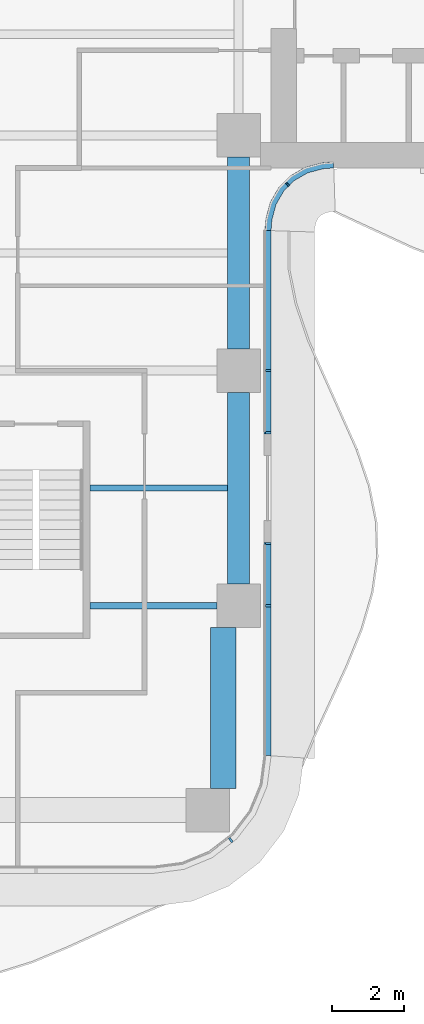
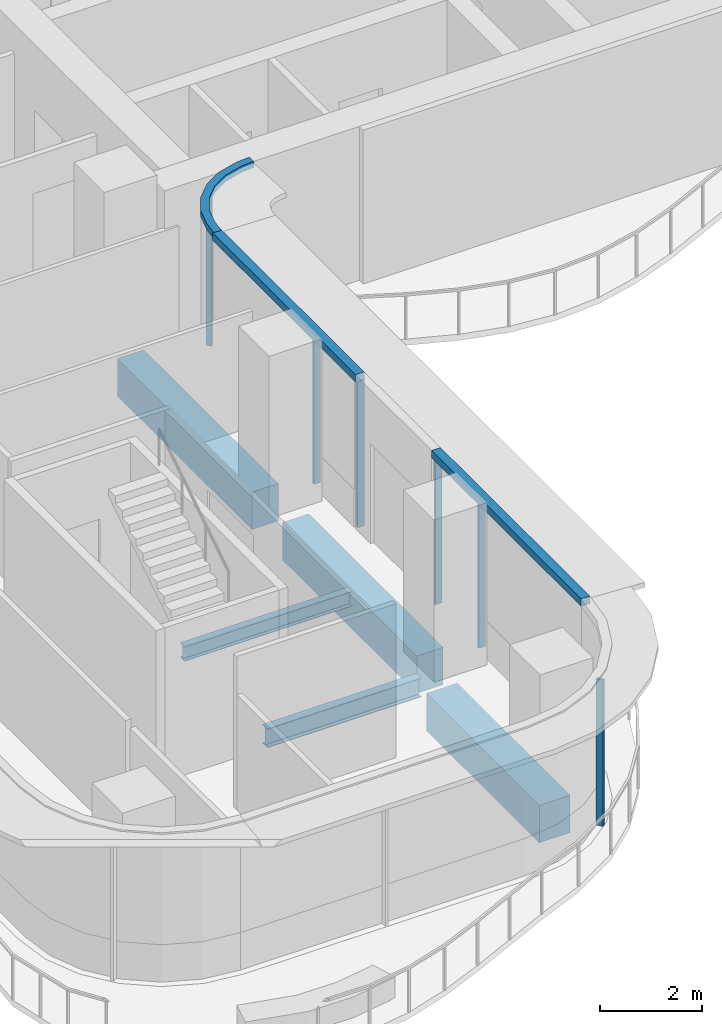
# One storey, part 5 of 18: 9 members, 5 beams, 4 elements without a shape of their own.
"""IFC4 building model written with IfcOpenShell, lengths in metres."""

from ifc_helpers import new_model, si_unit, direction, frame, origin, origin_2d, place, context, subcontext, project, spatial, polyline, rectangle, i_section, outline, extrude, source, transform, mapped, material, layer, layer_set, material_profile, profile_set, type_object, element, aggregate, save


model = new_model("IFC4")

# Units and contexts
model_context = context("Model", 3, precision=1e-05, world=origin(), true_north=direction((0.0, 1.0)))
body_context = subcontext(model_context, "Body", "Model", "MODEL_VIEW")
ifc_project = project(units=[si_unit("LENGTHUNIT", "METRE"), si_unit("AREAUNIT", "SQUARE_METRE"), si_unit("VOLUMEUNIT", "CUBIC_METRE"), si_unit("PLANEANGLEUNIT", "RADIAN"), si_unit("MASSUNIT", "GRAM", prefix="KILO")], contexts=[model_context])

# Site, building, storey
site_placement = place(None, origin())
site = spatial("IfcSite", under=ifc_project, at=site_placement, CompositionType="ELEMENT")
building_placement = place(site_placement, origin())
building = spatial("IfcBuilding", under=site, at=building_placement, Name="Trellis Farm Tower", CompositionType="ELEMENT")
storey_placement = place(building_placement, frame((0.0, 0.0, 193.199951171875)))
storey = spatial("IfcBuildingStorey", under=building, at=storey_placement, Name="L42", CompositionType="ELEMENT", Elevation=193.199951171875)

# Beams
ifc_material_1 = material(Name="Steel S355", Category="steel")
ifc_material_profile_1 = material_profile(ifc_material_1, i_section(OverallWidth=0.1904296875, OverallDepth=0.45703125, WebThickness=0.009033203125, FlangeThickness=0.014404296875, FilletRadius=0.01025390625, at=origin_2d()), Name="UB 457x191x74")
ifc_profile_set_1 = profile_set([ifc_material_profile_1], Name="Steel S355")
beam_type_1 = type_object("IfcBeamType", Name="UB 457x191x74", PredefinedType="BEAM", material=ifc_profile_set_1)
shared_shape_1 = source(origin(), body_context, "Body", "SweptSolid", [
    extrude(i_section(OverallWidth=0.1904296875, OverallDepth=0.45703125, WebThickness=0.009033203125, FlangeThickness=0.014404296875, FilletRadius=0.01025390625, at=origin_2d()), origin(), (0.0, 0.0, 1.0), 3.5),
])
beam_1_placement = place(storey_placement, frame((1.5, -18.60009765625, -0.428466796875), z_axis=(1.0, 0.0, 0.0), x_axis=(0.0, 1.0, 0.0)))
element("IfcBeam", 1, at=beam_1_placement, inside=storey, type_object=beam_type_1, Name="Girder", PredefinedType="BEAM", context=body_context, shape_type="MappedRepresentation", body=[
    mapped(shared_shape_1, transform((0.0, 0.0, 0.0))),
])
ifc_material_2 = material(Name="Concrete C60/75", Category="concrete")
ifc_material_profile_2 = material_profile(ifc_material_2, rectangle(XDim=0.60009765625, YDim=0.89990234375, at=origin_2d()), Name="RC spandrel beam 600x900 C60/75")
ifc_profile_set_2 = profile_set([ifc_material_profile_2], Name="Concrete C60/75")
beam_type_2 = type_object("IfcBeamType", Name="RC spandrel beam 600x900 C60/75", PredefinedType="SPANDREL", material=ifc_profile_set_2)
shared_shape_2 = source(origin(), body_context, "Body", "SweptSolid", [
    extrude(rectangle(XDim=0.60009765625, YDim=0.89990234375, at=origin_2d()), origin(), (0.0, 0.0, 1.0), 5.300048828125),
])
for number, where, z_axis, x_axis, name in (
    (2, (5.60009765625, -18.0, -0.64990234375), (0.0, 1.0, 0.0), (-1.0, 0.0, 0.0), "Girder"),
    (3, (5.60009765625, -11.5, -0.64990234375), (0.0, 1.0, 0.0), (-1.0, 0.0, 0.0), "Girder"),
):
    element("IfcBeam", number, at=place(storey_placement, frame(where, z_axis=z_axis, x_axis=x_axis)), inside=storey, type_object=beam_type_2, Name=name, PredefinedType="SPANDREL", context=body_context, shape_type="MappedRepresentation", body=[
        mapped(shared_shape_2, transform((0.0, 0.0, 0.0))),
    ])
ifc_material_profile_3 = material_profile(ifc_material_2, rectangle(XDim=0.699951171875, YDim=0.89990234375, at=origin_2d()), Name="RC spandrel beam 700x900 C60/75")
ifc_profile_set_3 = profile_set([ifc_material_profile_3], Name="Concrete C60/75")
beam_type_3 = type_object("IfcBeamType", Name="RC spandrel beam 700x900 C60/75", PredefinedType="SPANDREL", material=ifc_profile_set_3)
shared_shape_3 = source(origin(), body_context, "Body", "SweptSolid", [
    extrude(rectangle(XDim=0.699951171875, YDim=0.89990234375, at=origin_2d()), origin(), (0.0, 0.0, 1.0), 4.449951171875),
])
beam_2_placement = place(storey_placement, frame((5.175048828125, -23.64990234375, -0.64990234375), z_axis=(0.0, 1.0, 0.0), x_axis=(-1.0, 0.0, 0.0)))
element("IfcBeam", 4, at=beam_2_placement, inside=storey, type_object=beam_type_3, Name="Girder", PredefinedType="SPANDREL", context=body_context, shape_type="MappedRepresentation", body=[
    mapped(shared_shape_3, transform((0.0, 0.0, 0.0))),
])
ifc_material_profile_4 = material_profile(ifc_material_1, i_section(OverallWidth=0.17138671875, OverallDepth=0.35498046875, WebThickness=0.00732421875, FlangeThickness=0.011474609375, FilletRadius=0.01025390625, at=origin_2d()), Name="UB 356x171x51")
ifc_profile_set_4 = profile_set([ifc_material_profile_4], Name="Steel S355")
beam_type_4 = type_object("IfcBeamType", Name="UB 356x171x51 joist", PredefinedType="JOIST", material=ifc_profile_set_4)
shared_shape_4 = source(origin(), body_context, "Body", "SweptSolid", [
    extrude(i_section(OverallWidth=0.17138671875, OverallDepth=0.35498046875, WebThickness=0.00732421875, FlangeThickness=0.011474609375, FilletRadius=0.01025390625, at=origin_2d()), origin(), (0.0, 0.0, 1.0), 3.800048828125),
])
beam_3_placement = place(storey_placement, frame((1.5, -15.35009765625, -0.37744140625), z_axis=(1.0, 0.0, 0.0), x_axis=(0.0, 1.0, 0.0)))
element("IfcBeam", 5, at=beam_3_placement, inside=storey, type_object=beam_type_4, Name="Floor beam", PredefinedType="JOIST", context=body_context, shape_type="MappedRepresentation", body=[
    mapped(shared_shape_4, transform((0.0, 0.0, 0.0))),
])

# Curtain wall, member
ifc_material_3 = material(Name="Aluminium and glass curtain wall", Category="aluminium")
ifc_layer_1 = layer(ifc_material_3, 0.166015625)
ifc_layer_set_1 = layer_set([ifc_layer_1], Name="WINTER GARDEN CURTAIN WALL CW3")
curtain_wall_type_1 = type_object("IfcCurtainWallType", Name="WINTER GARDEN CURTAIN WALL CW3", PredefinedType="NOTDEFINED", material=ifc_layer_set_1)
placement_1 = place(storey_placement, origin())
curtain_wall_1 = element("IfcCurtainWall", 6, at=placement_1, inside=storey, type_object=curtain_wall_type_1, Name="CW3 002", PredefinedType="NOTDEFINED")
ifc_material_4 = material(Name="Aluminium extrusion 6063-T6", Category="aluminium")
ifc_layer_2 = layer(ifc_material_4, 0.169921875)
ifc_layer_set_2 = layer_set([ifc_layer_2], Name="Aluminium extrusion 6063-T6")
member_type_1 = type_object("IfcMemberType", Name="CW3 TRANSOM 170x150", PredefinedType="USERDEFINED", material=ifc_layer_set_2)
shared_shape_5 = source(origin(), body_context, "Body", "SweptSolid", [
    extrude(outline(polyline([(6.5, -8.2314453125), (6.513916015625, -8.01953125), (6.527587890625, -7.91552734375), (6.63671875, -7.508544921875), (6.846923828125, -7.144287109375), (7.144287109375, -6.846923828125), (7.508544921875, -6.63671875), (7.91552734375, -6.527587890625), (8.01953125, -6.513916015625), (8.2314453125, -6.5), (8.225830078125, -6.330078125), (8.0029296875, -6.3447265625), (7.88232421875, -6.360595703125), (7.44287109375, -6.478271484375), (7.0400390625, -6.7109375), (6.7109375, -7.0400390625), (6.478271484375, -7.44287109375), (6.360595703125, -7.88232421875), (6.3447265625, -8.0029296875), (6.330078125, -8.225830078125), (6.5, -8.2314453125)])), origin(), (0.0, 0.0, 1.0), 0.14990234375),
])
member_1_placement = place(storey_placement, frame((0.0, 0.0, 3.550048828125)))
member_1 = element("IfcMember", 7, at=member_1_placement, type_object=member_type_1, Name="TR3 002", ObjectType="TRANSOM", PredefinedType="USERDEFINED", context=body_context, shape_type="MappedRepresentation", body=[
    mapped(shared_shape_5, transform((0.0, 0.0, 0.0))),
])

ifc_layer_3 = layer(ifc_material_3, 0.18994140625)
ifc_layer_set_3 = layer_set([ifc_layer_3], Name="RIBBON CURTAIN WALL CW1")
curtain_wall_type_2 = type_object("IfcCurtainWallType", Name="RIBBON CURTAIN WALL CW1", PredefinedType="NOTDEFINED", material=ifc_layer_set_3)
curtain_wall_2 = element("IfcCurtainWall", 8, at=placement_1, inside=storey, type_object=curtain_wall_type_2, Name="CW1 003", PredefinedType="NOTDEFINED")
ifc_material_profile_5 = material_profile(ifc_material_4, rectangle(XDim=0.06005859375, YDim=0.14990234375, at=origin_2d()), Name="MULLION 60x150")
ifc_profile_set_5 = profile_set([ifc_material_profile_5], Name="Aluminium extrusion 6063-T6")
member_type_2 = type_object("IfcMemberType", Name="CW1 MULLION 60x150", PredefinedType="MULLION", material=ifc_profile_set_5)
shared_shape_6 = source(origin(), body_context, "Body", "SweptSolid", [
    extrude(rectangle(XDim=0.06005859375, YDim=0.14990234375, at=origin_2d()), origin(), (0.0, 0.0, 1.0), 3.52001953125),
])
member_2_placement = place(storey_placement, frame((5.385498046875, -25.078369140625, 0.0), z_axis=(0.0, 0.0, 1.0), x_axis=(0.793353340291, 0.608761429009, 0.0)))
member_2 = element("IfcMember", 9, at=member_2_placement, type_object=member_type_2, Name="MU1 003-02", PredefinedType="MULLION", context=body_context, shape_type="MappedRepresentation", body=[
    mapped(shared_shape_6, transform((0.0, 0.0, 0.0))),
])
aggregate(curtain_wall_2, [member_2])

# Curtain wall, members
curtain_wall_3 = element("IfcCurtainWall", 10, at=placement_1, inside=storey, type_object=curtain_wall_type_2, Name="CW1 004", PredefinedType="NOTDEFINED")
member_3_placement = place(storey_placement, frame((6.425048828125, -18.60009765625, 0.0), z_axis=(0.0, 0.0, 1.0), x_axis=(0.0, 1.0, 0.0)))
member_3 = element("IfcMember", 11, at=member_3_placement, type_object=member_type_2, Name="MU1 004-01", PredefinedType="MULLION", context=body_context, shape_type="MappedRepresentation", body=[
    mapped(shared_shape_6, transform((0.0, 0.0, 0.0))),
])
member_4_placement = place(storey_placement, frame((6.425048828125, -16.8798828125, 0.0), z_axis=(0.0, 0.0, 1.0), x_axis=(0.0, 1.0, 0.0)))
member_4 = element("IfcMember", 12, at=member_4_placement, type_object=member_type_2, Name="MU1 004-02", PredefinedType="MULLION", context=body_context, shape_type="MappedRepresentation", body=[
    mapped(shared_shape_6, transform((0.0, 0.0, 0.0))),
])

curtain_wall_4 = element("IfcCurtainWall", 13, at=placement_1, inside=storey, type_object=curtain_wall_type_2, Name="CW1 005", PredefinedType="NOTDEFINED")
member_5_placement = place(storey_placement, frame((6.425048828125, -13.820068359375, 0.0), z_axis=(0.0, 0.0, 1.0), x_axis=(0.0, 1.0, 0.0)))
member_5 = element("IfcMember", 14, at=member_5_placement, type_object=member_type_2, Name="MU1 005-01", PredefinedType="MULLION", context=body_context, shape_type="MappedRepresentation", body=[
    mapped(shared_shape_6, transform((0.0, 0.0, 0.0))),
])
member_6_placement = place(storey_placement, frame((6.425048828125, -12.10009765625, 0.0), z_axis=(0.0, 0.0, 1.0), x_axis=(0.0, 1.0, 0.0)))
member_6 = element("IfcMember", 15, at=member_6_placement, type_object=member_type_2, Name="MU1 005-02", PredefinedType="MULLION", context=body_context, shape_type="MappedRepresentation", body=[
    mapped(shared_shape_6, transform((0.0, 0.0, 0.0))),
])

# Member
ifc_layer_4 = layer(ifc_material_4, 0.199951171875)
ifc_layer_set_4 = layer_set([ifc_layer_4], Name="Aluminium extrusion 6063-T6")
member_type_3 = type_object("IfcMemberType", Name="CW1 TRANSOM 200x180", PredefinedType="USERDEFINED", material=ifc_layer_set_4)
shared_shape_7 = source(origin(), body_context, "Body", "SweptSolid", [
    extrude(outline(polyline([(6.5, -22.75), (6.5, -16.85009765625), (6.300048828125, -16.85009765625), (6.300048828125, -22.73681640625), (6.5, -22.75)])), origin(), (0.0, 0.0, 1.0), 0.179931640625),
])
placement_2 = place(storey_placement, frame((0.0, 0.0, 3.52001953125)))
member_7 = element("IfcMember", 16, at=placement_2, type_object=member_type_3, Name="TR1 004", ObjectType="TRANSOM", PredefinedType="USERDEFINED", context=body_context, shape_type="MappedRepresentation", body=[
    mapped(shared_shape_7, transform((0.0, 0.0, 0.0))),
])

aggregate(curtain_wall_3, [member_3, member_4, member_7])

shared_shape_8 = source(origin(), body_context, "Body", "SweptSolid", [
    extrude(outline(polyline([(6.5, -13.85009765625), (6.5, -8.2314453125), (6.300048828125, -8.224853515625), (6.300048828125, -13.85009765625), (6.5, -13.85009765625)])), origin(), (0.0, 0.0, 1.0), 0.179931640625),
])
member_8 = element("IfcMember", 17, at=placement_2, type_object=member_type_3, Name="TR1 005", ObjectType="TRANSOM", PredefinedType="USERDEFINED", context=body_context, shape_type="MappedRepresentation", body=[
    mapped(shared_shape_8, transform((0.0, 0.0, 0.0))),
])

aggregate(curtain_wall_4, [member_5, member_6, member_8])

ifc_material_profile_6 = material_profile(ifc_material_4, rectangle(XDim=0.050048828125, YDim=0.1201171875, at=origin_2d()), Name="MULLION 50x120")
ifc_profile_set_6 = profile_set([ifc_material_profile_6], Name="Aluminium extrusion 6063-T6")
member_type_4 = type_object("IfcMemberType", Name="CW3 MULLION 50x120", PredefinedType="MULLION", material=ifc_profile_set_6)
shared_shape_9 = source(origin(), body_context, "Body", "SweptSolid", [
    extrude(rectangle(XDim=0.050048828125, YDim=0.1201171875, at=origin_2d()), origin(), (0.0, 0.0, 1.0), 3.550048828125),
])
member_9_placement = place(storey_placement, frame((6.953125, -6.953125, 0.0), z_axis=(0.0, 0.0, 1.0), x_axis=(0.707106781187, 0.707106781187, 0.0)))
member_9 = element("IfcMember", 18, at=member_9_placement, type_object=member_type_4, Name="MU3 002-01", PredefinedType="MULLION", context=body_context, shape_type="MappedRepresentation", body=[
    mapped(shared_shape_9, transform((0.0, 0.0, 0.0))),
])

aggregate(curtain_wall_1, [member_9, member_1])

save(model, "model.ifc")
